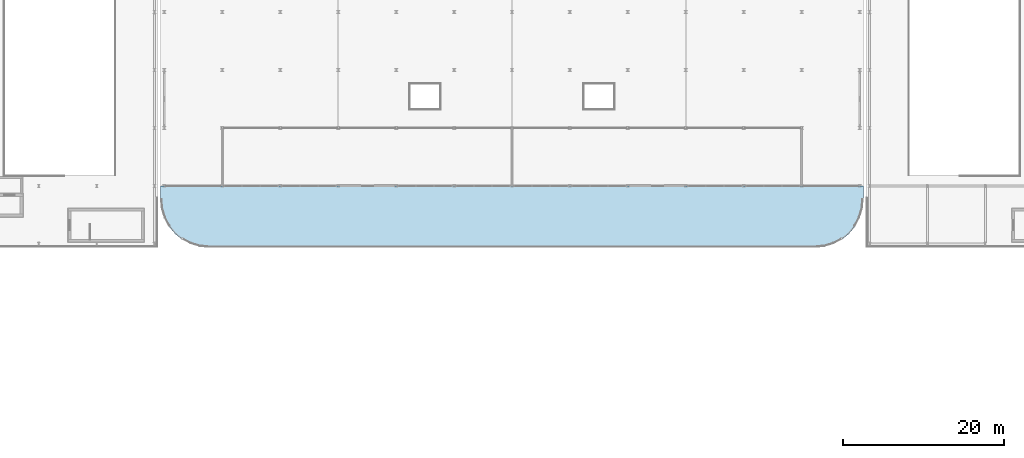
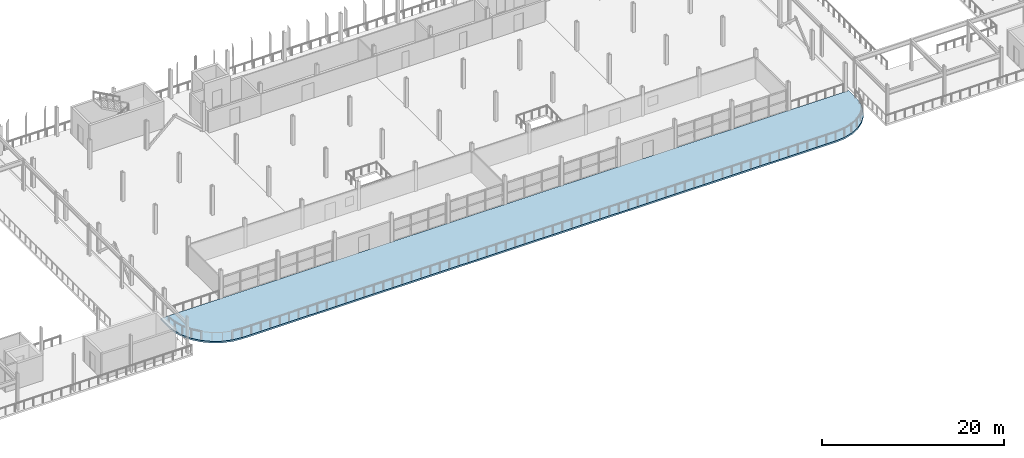
# One storey, part 19 of 40: 1 slab.
"""IFC4 building model written with IfcOpenShell, lengths in metres."""

from ifc_helpers import new_model, si_unit, direction, frame, origin, place, context, subcontext, project, spatial, polyline, outline, extrude, material, layer, layer_set, type_object, element, save


model = new_model("IFC4")

# Units and contexts
model_context = context("Model", 3, precision=1e-05, world=origin(), true_north=direction((0.0, 1.0)))
body_context = subcontext(model_context, "Body", "Model", "MODEL_VIEW")
ifc_project = project(units=[si_unit("LENGTHUNIT", "METRE"), si_unit("AREAUNIT", "SQUARE_METRE"), si_unit("VOLUMEUNIT", "CUBIC_METRE"), si_unit("PLANEANGLEUNIT", "RADIAN"), si_unit("MASSUNIT", "GRAM", prefix="KILO")], contexts=[model_context])

# Site, building, storey
site_placement = place(None, origin())
site = spatial("IfcSite", under=ifc_project, at=site_placement, CompositionType="ELEMENT")
building_placement = place(site_placement, origin())
building = spatial("IfcBuilding", under=site, at=building_placement, Name="Vaelcorin Mobility Hub", CompositionType="ELEMENT")
storey_placement = place(building_placement, frame((0.0, 0.0, 17.10009765625)))
storey = spatial("IfcBuildingStorey", under=building, at=storey_placement, Name="L04", CompositionType="ELEMENT", Elevation=17.10009765625)

# Slab
ifc_material = material(Name="Concrete f'c 35 MPa", Category="concrete")
ifc_layer = layer(ifc_material, 0.219970703125)
ifc_layer_set = layer_set([ifc_layer], Name="Concrete f'c 35 MPa")
slab_type = type_object("IfcSlabType", Name="SLAB-VR4", PredefinedType="FLOOR", material=ifc_layer_set)
slab_placement = place(storey_placement, frame((0.0, 0.0, -0.22021484375)))
element("IfcSlab", 1, at=slab_placement, inside=storey, type_object=slab_type, Name="L04 Courtyard Veranda Terrace SL-V4-L04-VERANDA", PredefinedType="FLOOR", context=body_context, shape_type="SweptSolid", body=[
    extrude(outline(polyline([(35.550048828125, 82.35009765625), (35.6650390625, 81.178955078125), (36.007080078125, 80.053955078125), (36.56103515625, 79.01708984375), (37.306884765625, 78.10693359375), (38.217041015625, 77.361083984375), (39.25390625, 76.806884765625), (40.37890625, 76.465087890625), (41.550048828125, 76.35009765625), (116.85009765625, 76.35009765625), (118.02099609375, 76.465087890625), (119.14599609375, 76.806884765625), (120.18310546875, 77.361083984375), (121.093017578125, 78.10693359375), (121.839111328125, 79.01708984375), (122.39306640625, 80.053955078125), (122.735107421875, 81.178955078125), (122.85009765625, 82.35009765625), (122.85009765625, 83.989990234375), (35.550048828125, 83.989990234375), (35.550048828125, 82.35009765625)])), origin(), (0.0, 0.0, 1.0), 0.22021484375),
])

save(model, "model.ifc")
